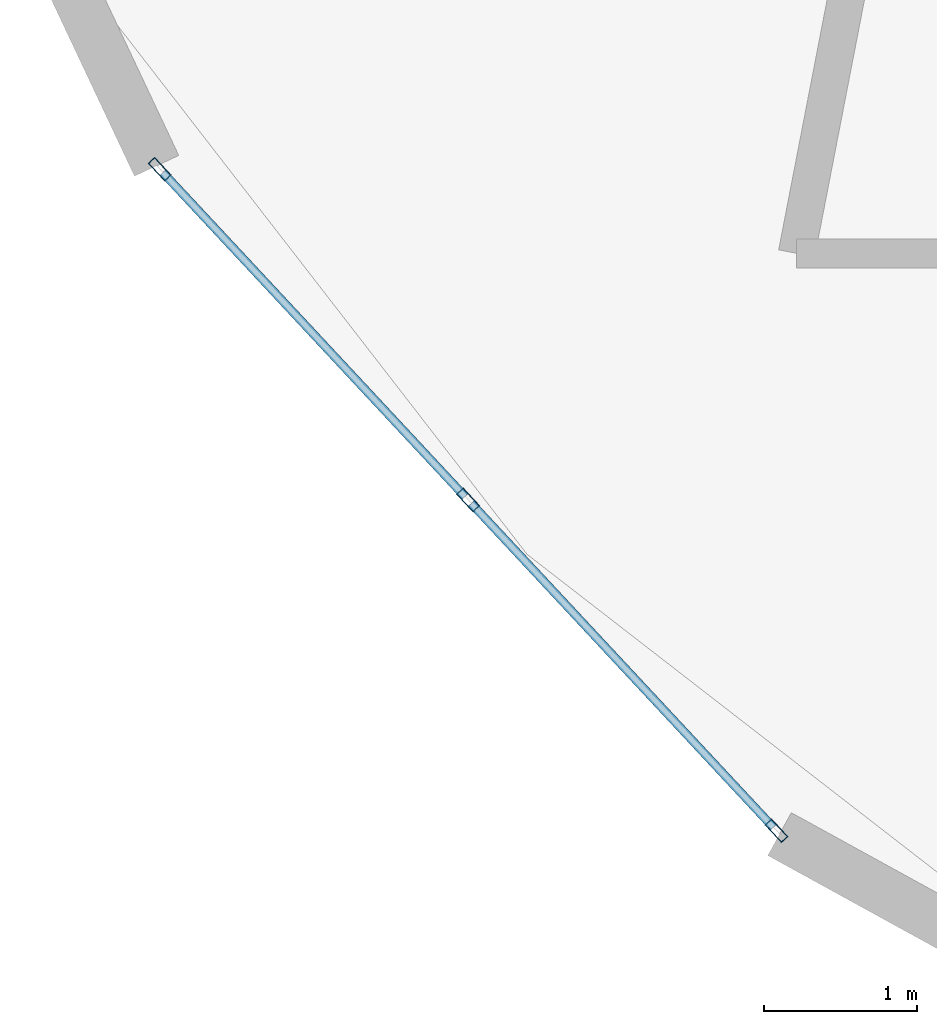
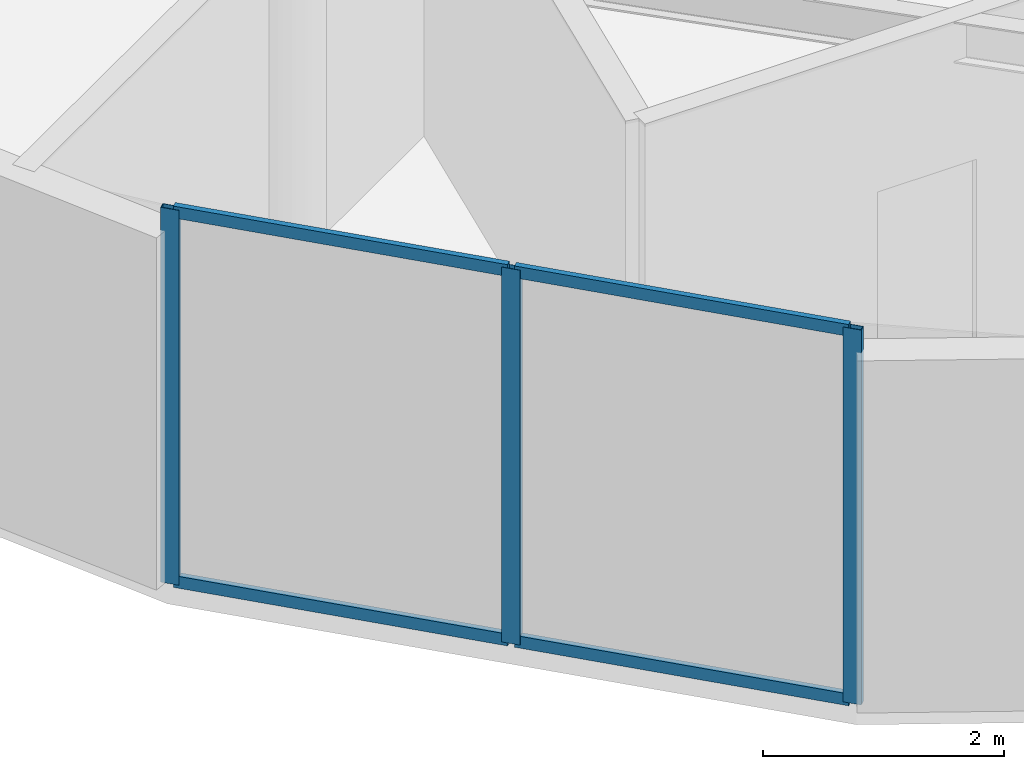
# One storey, part 2 of 23: 7 members, 1 element without a shape of its own.
"""IFC4 building model written with IfcOpenShell, lengths in metres."""

import ifcopenshell
import ifcopenshell.guid

model = None  # the IFC model being written
_history = None  # IfcOwnerHistory: only IFC2X3 demands one
_inside = {}  # id of a spatial element -> (the spatial element, [elements in it])
_under = {}  # id of a project, library or spatial element -> (it, [spatial elements below it])
_declared = {}  # id of a project -> (the project, [libraries it declares])
_typed = {}  # id of a type object -> (the type object, [elements of that type])
_made_of = {}  # id of a material, layer set ... -> (it, [elements and type objects made of it])


def new_model(schema):
    """Start an empty IFC model of exactly this schema.

    Asked for "IFC4X3", IfcOpenShell would pick the latest addendum, in which some entities
    have other attributes; the version numbers below select the first issue.
    IFC2X3 requires an IfcOwnerHistory on every rooted entity: one is made here for all.
    """
    global model, _history
    if schema == "IFC4X3":
        model = ifcopenshell.file(schema_version=(4, 3, 0, 0))
    else:
        model = ifcopenshell.file(schema=schema)
    _inside.clear()
    _under.clear()
    _declared.clear()
    _typed.clear()
    _made_of.clear()
    _history = None
    if model.schema == "IFC2X3":
        org = make("IfcOrganization", Name="unknown")
        user = make(
            "IfcPersonAndOrganization",
            ThePerson=make("IfcPerson", FamilyName="unknown"),
            TheOrganization=org,
        )
        app = make(
            "IfcApplication",
            ApplicationDeveloper=org,
            Version="unknown",
            ApplicationFullName="unknown",
            ApplicationIdentifier="unknown",
        )
        _history = make(
            "IfcOwnerHistory",
            OwningUser=user,
            OwningApplication=app,
            ChangeAction="ADDED",
            CreationDate=0,
        )
    return model


def make(cls, **values):
    """One entity of the class cls with the attributes given. An attribute that is None is left unset."""
    return model.create_entity(
        cls, **{name: value for name, value in values.items() if value is not None}
    )


def rooted(cls, **values):
    """An entity with a GlobalId (a new one), such as an element, a storey or a relation."""
    return make(cls, GlobalId=ifcopenshell.guid.new(), OwnerHistory=_history, **values)


def si_unit(unit_type, name, prefix=None):
    """IfcSIUnit, for example si_unit("LENGTHUNIT", "METRE", prefix="MILLI")."""
    return make("IfcSIUnit", UnitType=unit_type, Prefix=prefix, Name=name)


def assignment(units):
    """IfcUnitAssignment: the units of a project."""
    return None if units is None else make("IfcUnitAssignment", Units=units)


def point(xyz):
    """IfcCartesianPoint."""
    return None if xyz is None else make("IfcCartesianPoint", Coordinates=xyz)


def direction(xyz):
    """IfcDirection."""
    return None if xyz is None else make("IfcDirection", DirectionRatios=xyz)


def frame(location, z_axis=None, x_axis=None):
    """IfcAxis2Placement3D, a coordinate frame: its origin and axes. An axis left out is left unset."""
    return make(
        "IfcAxis2Placement3D",
        Location=point(location),
        Axis=direction(z_axis),
        RefDirection=direction(x_axis),
    )


def frame_2d(location, x_axis=None):
    """IfcAxis2Placement2D, a coordinate frame in the plane: its origin and x axis."""
    return make(
        "IfcAxis2Placement2D", Location=point(location), RefDirection=direction(x_axis)
    )


def origin():
    """The frame at (0, 0, 0) with its axes left unset."""
    return frame((0.0, 0.0, 0.0))


def origin_2d():
    """The frame at (0, 0) in the plane with its x axis left unset."""
    return frame_2d((0.0, 0.0))


def place(relative_to, where):
    """IfcLocalPlacement: puts the frame where relative to a parent placement (None: the world)."""
    return make(
        "IfcLocalPlacement", PlacementRelTo=relative_to, RelativePlacement=where
    )


def context(
    kind, dimensions, precision=None, world=None, true_north=None, identifier=None
):
    """IfcGeometricRepresentationContext, for example the 3D "Model" context."""
    return make(
        "IfcGeometricRepresentationContext",
        ContextIdentifier=identifier,
        ContextType=kind,
        CoordinateSpaceDimension=dimensions,
        Precision=precision,
        WorldCoordinateSystem=world,
        TrueNorth=true_north,
    )


def subcontext(parent, identifier, kind, view, scale=None):
    """IfcGeometricRepresentationSubContext, for example "Body" below "Model"."""
    return make(
        "IfcGeometricRepresentationSubContext",
        ContextIdentifier=identifier,
        ContextType=kind,
        ParentContext=parent,
        TargetScale=scale,
        TargetView=view,
    )


def project(units=None, contexts=None):
    """IfcProject with its units and contexts."""
    return rooted(
        "IfcProject",
        Name="project",
        RepresentationContexts=contexts,
        UnitsInContext=assignment(units),
    )


def spatial(cls, under=None, at=None, **own):
    """A site, building, storey or space (cls), placed at a placement, below another one or the project."""
    s = rooted(cls, ObjectPlacement=at, **own)
    if under is not None:
        _under.setdefault(under.id(), (under, []))[1].append(s)
    return s


def profile(cls, at=None, kind="AREA", **sizes):
    """A parametric profile (cls). Its sizes go by their IFC names, for example OverallWidth=200.0."""
    return make(cls, ProfileType=kind, Position=at, **sizes)


def hollow_rectangle(**sizes):
    """IfcRectangleHollowProfileDef."""
    return profile("IfcRectangleHollowProfileDef", **sizes)


def extrude(swept, where, along, depth):
    """IfcExtrudedAreaSolid: the profile swept, set in the frame where, extruded along a direction by depth."""
    return make(
        "IfcExtrudedAreaSolid",
        SweptArea=swept,
        Position=where,
        ExtrudedDirection=direction(along),
        Depth=depth,
    )


def shape(context_of_items, identifier, shape_type, items):
    """IfcShapeRepresentation: the items that make up one representation, for example the "Body"."""
    return make(
        "IfcShapeRepresentation",
        ContextOfItems=context_of_items,
        RepresentationIdentifier=identifier,
        RepresentationType=shape_type,
        Items=items,
    )


def source(mapping_origin, context_of_items, identifier, shape_type, items):
    """IfcRepresentationMap: a shape defined once, which mapped items show again and again."""
    return make(
        "IfcRepresentationMap",
        MappingOrigin=mapping_origin,
        MappedRepresentation=shape(context_of_items, identifier, shape_type, items),
    )


def transform(
    local_origin,
    x_axis=None,
    y_axis=None,
    z_axis=None,
    scale=None,
    scale2=None,
    scale3=None,
    uniform=True,
):
    """IfcCartesianTransformationOperator3D, or its non-uniform kind. x_axis, y_axis, z_axis: its Axis1, 2, 3."""
    if uniform:
        return make(
            "IfcCartesianTransformationOperator3D",
            Axis1=direction(x_axis),
            Axis2=direction(y_axis),
            LocalOrigin=point(local_origin),
            Scale=scale,
            Axis3=direction(z_axis),
        )
    return make(
        "IfcCartesianTransformationOperator3DnonUniform",
        Axis1=direction(x_axis),
        Axis2=direction(y_axis),
        LocalOrigin=point(local_origin),
        Scale=scale,
        Axis3=direction(z_axis),
        Scale2=scale2,
        Scale3=scale3,
    )


def mapped(mapping_source, mapping_target):
    """IfcMappedItem: shows the shape of a source again, moved by a transform."""
    return make(
        "IfcMappedItem", MappingSource=mapping_source, MappingTarget=mapping_target
    )


def material(Name=None, Category=None):
    """IfcMaterial."""
    return make("IfcMaterial", Name=Name, Category=Category)


def layer(
    of_material, thickness, ventilated=None, Name=None, Category=None, Priority=None
):
    """IfcMaterialLayer: one layer of a wall or slab, of a material (None: an air gap)."""
    return make(
        "IfcMaterialLayer",
        Material=of_material,
        LayerThickness=thickness,
        IsVentilated=ventilated,
        Name=Name,
        Category=Category,
        Priority=Priority,
    )


def layer_set(layers, Name=None):
    """IfcMaterialLayerSet."""
    return make("IfcMaterialLayerSet", MaterialLayers=layers, LayerSetName=Name)


def material_profile(
    of_material, cross_section, Name=None, Category=None, Priority=None
):
    """IfcMaterialProfile: a cross section and its material."""
    return make(
        "IfcMaterialProfile",
        Name=Name,
        Material=of_material,
        Profile=cross_section,
        Priority=Priority,
        Category=Category,
    )


def profile_set(profiles, Name=None, composite=None):
    """IfcMaterialProfileSet."""
    return make(
        "IfcMaterialProfileSet",
        Name=Name,
        MaterialProfiles=profiles,
        CompositeProfile=composite,
    )


def made_of(thing, what):
    """Note that an element or type object is made of a material, layer set ...; save() writes the relation."""
    if what is not None:
        _made_of.setdefault(what.id(), (what, []))[1].append(thing)
    return thing


def type_object(cls, material=None, **own):
    """A type object (cls), such as IfcWallType, which elements share."""
    return made_of(rooted(cls, **own), material)


def element(
    cls,
    number,
    at=None,
    inside=None,
    cuts=None,
    type_object=None,
    material=None,
    context=None,
    identifier="Body",
    shape_type=None,
    held_by="IfcProductDefinitionShape",
    body=None,
    shapes=None,
    **own,
):
    """One element of the class cls, such as IfcWall. Its Tag is "e" and its number.

    at: its placement. inside: the storey or other place that contains it. cuts: it is an
    opening in that element (IfcRelVoidsElement). A single representation is given by context,
    identifier, shape_type and body (its items); several are given by shapes. held_by: the class
    of the entity that holds the representations. save() writes the other relations.
    """
    e = rooted(cls, Tag="e%d" % number, ObjectPlacement=at, **own)
    if body is not None:
        shapes = [shape(context, identifier, shape_type, body)]
    if shapes is not None:
        e.Representation = make(held_by, Representations=shapes)
    if inside is not None:
        _inside.setdefault(inside.id(), (inside, []))[1].append(e)
    if cuts is not None:
        rooted(
            "IfcRelVoidsElement", RelatingBuildingElement=cuts, RelatedOpeningElement=e
        )
    if type_object is not None:
        _typed.setdefault(type_object.id(), (type_object, []))[1].append(e)
    return made_of(e, material)


def aggregate(whole, parts):
    """IfcRelAggregates: a whole, such as a stair, and the parts it consists of."""
    return rooted("IfcRelAggregates", RelatingObject=whole, RelatedObjects=parts)


def save(model, path):
    """Write the relations noted so far, then the file.

    IfcRelAggregates (storeys below a building ...), IfcRelContainedInSpatialStructure (elements
    in a storey), IfcRelDefinesByType, IfcRelAssociatesMaterial and IfcRelDeclares: one each for
    every whole, place, type object, material and project.
    """
    for whole, parts in _under.values():
        aggregate(whole, parts)
    for where, things in _inside.values():
        rooted(
            "IfcRelContainedInSpatialStructure",
            RelatedElements=things,
            RelatingStructure=where,
        )
    for kind, things in _typed.values():
        rooted("IfcRelDefinesByType", RelatedObjects=things, RelatingType=kind)
    for what, things in _made_of.values():
        rooted("IfcRelAssociatesMaterial", RelatedObjects=things, RelatingMaterial=what)
    for by, libraries in _declared.values():
        rooted("IfcRelDeclares", RelatingContext=by, RelatedDefinitions=libraries)
    model.write(path)


model = new_model("IFC4")

# Units and contexts
model_context = context("Model", 3, precision=1e-05, world=origin(), true_north=direction((0.0, 1.0)))
body_context = subcontext(model_context, "Body", "Model", "MODEL_VIEW")
ifc_project = project(units=[si_unit("LENGTHUNIT", "METRE"), si_unit("AREAUNIT", "SQUARE_METRE"), si_unit("VOLUMEUNIT", "CUBIC_METRE"), si_unit("PLANEANGLEUNIT", "RADIAN"), si_unit("MASSUNIT", "GRAM", prefix="KILO")], contexts=[model_context])

# Site, building, storey
site_placement = place(None, origin())
site = spatial("IfcSite", under=ifc_project, at=site_placement, CompositionType="ELEMENT")
building_placement = place(site_placement, origin())
building = spatial("IfcBuilding", under=site, at=building_placement, Name="Solvirekh Grand Hotel", CompositionType="ELEMENT")
storey_placement = place(building_placement, frame((0.0, 0.0, 282.0)))
storey = spatial("IfcBuildingStorey", under=building, at=storey_placement, Name="L73", CompositionType="ELEMENT", Elevation=282.0)

# Curtain wall, members
ifc_material = material(Name="Anodized Bronze Aluminium 6063-T6", Category="aluminium")
ifc_layer = layer(ifc_material, 0.159912109375)
ifc_layer_set = layer_set([ifc_layer], Name="Anodized Bronze Aluminium 6063-T6")
curtain_wall_type = type_object("IfcCurtainWallType", Name="CW_Sys4_HighZoneFlushBronzeCW", PredefinedType="NOTDEFINED", material=ifc_layer_set)
curtain_wall_placement = place(storey_placement, origin())
curtain_wall = element("IfcCurtainWall", 1, at=curtain_wall_placement, inside=storey, type_object=curtain_wall_type, Name="L73 unitised bronze-glass curtain wall CW-L73-C18", PredefinedType="NOTDEFINED")
ifc_material_profile_1 = material_profile(ifc_material, hollow_rectangle(XDim=0.06005859375, YDim=0.159912109375, WallThickness=0.0048828125, at=origin_2d()), Name="ALU RHS 160X60X5")
ifc_profile_set_1 = profile_set([ifc_material_profile_1], Name="Anodized Bronze Aluminium 6063-T6")
member_type_1 = type_object("IfcMemberType", Name="CWMullion_Sys4", PredefinedType="MULLION", material=ifc_profile_set_1)
shared_shape_1 = source(origin(), body_context, "Body", "SweptSolid", [
    extrude(hollow_rectangle(XDim=0.06005859375, YDim=0.159912109375, WallThickness=0.0048828125, at=origin_2d()), origin(), (0.0, 0.0, 1.0), 3.800048828125),
])
member_1_placement = place(storey_placement, frame((-16.47265625, -11.2490234375, 0.0), z_axis=(0.0, 0.0, 1.0), x_axis=(0.731482948511, 0.681859733403, 0.0)))
member_1 = element("IfcMember", 2, at=member_1_placement, type_object=member_type_1, Name="U04 mullion 1", PredefinedType="MULLION", context=body_context, shape_type="MappedRepresentation", body=[
    mapped(shared_shape_1, transform((0.0, 0.0, 0.0), x_axis=(1.0, 0.0, 0.0), y_axis=(0.0, 1.0, 0.0), z_axis=(0.0, 0.0, 1.0), scale=1.0)),
])
member_2_placement = place(storey_placement, frame((-14.452392578125, -13.416015625, 0.0), z_axis=(0.0, 0.0, 1.0), x_axis=(0.731482948511, 0.681859733403, 0.0)))
member_2 = element("IfcMember", 3, at=member_2_placement, type_object=member_type_1, Name="U04 mullion 2", PredefinedType="MULLION", context=body_context, shape_type="MappedRepresentation", body=[
    mapped(shared_shape_1, transform((0.0, 0.0, 0.0), x_axis=(1.0, 0.0, 0.0), y_axis=(0.0, 1.0, 0.0), z_axis=(0.0, 0.0, 1.0), scale=1.0)),
])
member_3_placement = place(storey_placement, frame((-12.432373046875, -15.5830078125, 0.0), z_axis=(0.0, 0.0, 1.0), x_axis=(0.731482948511, 0.681859733403, 0.0)))
member_3 = element("IfcMember", 4, at=member_3_placement, type_object=member_type_1, Name="U04 mullion 3", PredefinedType="MULLION", context=body_context, shape_type="MappedRepresentation", body=[
    mapped(shared_shape_1, transform((0.0, 0.0, 0.0), x_axis=(1.0, 0.0, 0.0), y_axis=(0.0, 1.0, 0.0), z_axis=(0.0, 0.0, 1.0), scale=1.0)),
])
ifc_material_profile_2 = material_profile(ifc_material, hollow_rectangle(XDim=0.054931640625, YDim=0.1201171875, WallThickness=0.00390625, at=origin_2d()), Name="ALU RHS 120X55X4")
ifc_profile_set_2 = profile_set([ifc_material_profile_2], Name="Anodized Bronze Aluminium 6063-T6")
member_type_2 = type_object("IfcMemberType", Name="CWTransom_Sys4", PredefinedType="USERDEFINED", material=ifc_profile_set_2)
shared_shape_2 = source(origin(), body_context, "Body", "SweptSolid", [
    extrude(hollow_rectangle(XDim=0.054931640625, YDim=0.1201171875, WallThickness=0.00390625, at=origin_2d()), origin(), (0.0, 0.0, 1.0), 2.902587890625),
])
member_4_placement = place(storey_placement, frame((-16.4521484375, -11.27099609375, 0.027587890625), z_axis=(0.681901571994, -0.73144394598, 0.0), x_axis=(0.73144394598, 0.681901571994, 0.0)))
member_4 = element("IfcMember", 5, at=member_4_placement, type_object=member_type_2, Name="U04 transom 1.1", ObjectType="TRANSOM", PredefinedType="USERDEFINED", context=body_context, shape_type="MappedRepresentation", body=[
    mapped(shared_shape_2, transform((0.0, 0.0, 0.0), x_axis=(1.0, 0.0, 0.0), y_axis=(0.0, 1.0, 0.0), z_axis=(0.0, 0.0, 1.0), scale=1.0)),
])
member_5_placement = place(storey_placement, frame((-16.4521484375, -11.27099609375, 3.7724609375), z_axis=(0.681901571994, -0.73144394598, 0.0), x_axis=(0.73144394598, 0.681901571994, 0.0)))
member_5 = element("IfcMember", 6, at=member_5_placement, type_object=member_type_2, Name="U04 transom 1.2", ObjectType="TRANSOM", PredefinedType="USERDEFINED", context=body_context, shape_type="MappedRepresentation", body=[
    mapped(shared_shape_2, transform((0.0, 0.0, 0.0), x_axis=(1.0, 0.0, 0.0), y_axis=(0.0, 1.0, 0.0), z_axis=(0.0, 0.0, 1.0), scale=1.0)),
])
member_6_placement = place(storey_placement, frame((-14.43212890625, -13.43798828125, 0.027587890625), z_axis=(0.681901571994, -0.73144394598, 0.0), x_axis=(0.73144394598, 0.681901571994, 0.0)))
member_6 = element("IfcMember", 7, at=member_6_placement, type_object=member_type_2, Name="U04 transom 2.1", ObjectType="TRANSOM", PredefinedType="USERDEFINED", context=body_context, shape_type="MappedRepresentation", body=[
    mapped(shared_shape_2, transform((0.0, 0.0, 0.0), x_axis=(1.0, 0.0, 0.0), y_axis=(0.0, 1.0, 0.0), z_axis=(0.0, 0.0, 1.0), scale=1.0)),
])
member_7_placement = place(storey_placement, frame((-14.43212890625, -13.43798828125, 3.7724609375), z_axis=(0.681901571994, -0.73144394598, 0.0), x_axis=(0.73144394598, 0.681901571994, 0.0)))
member_7 = element("IfcMember", 8, at=member_7_placement, type_object=member_type_2, Name="U04 transom 2.2", ObjectType="TRANSOM", PredefinedType="USERDEFINED", context=body_context, shape_type="MappedRepresentation", body=[
    mapped(shared_shape_2, transform((0.0, 0.0, 0.0), x_axis=(1.0, 0.0, 0.0), y_axis=(0.0, 1.0, 0.0), z_axis=(0.0, 0.0, 1.0), scale=1.0)),
])
aggregate(curtain_wall, [member_1, member_2, member_3, member_4, member_5, member_6, member_7])

save(model, "model.ifc")
